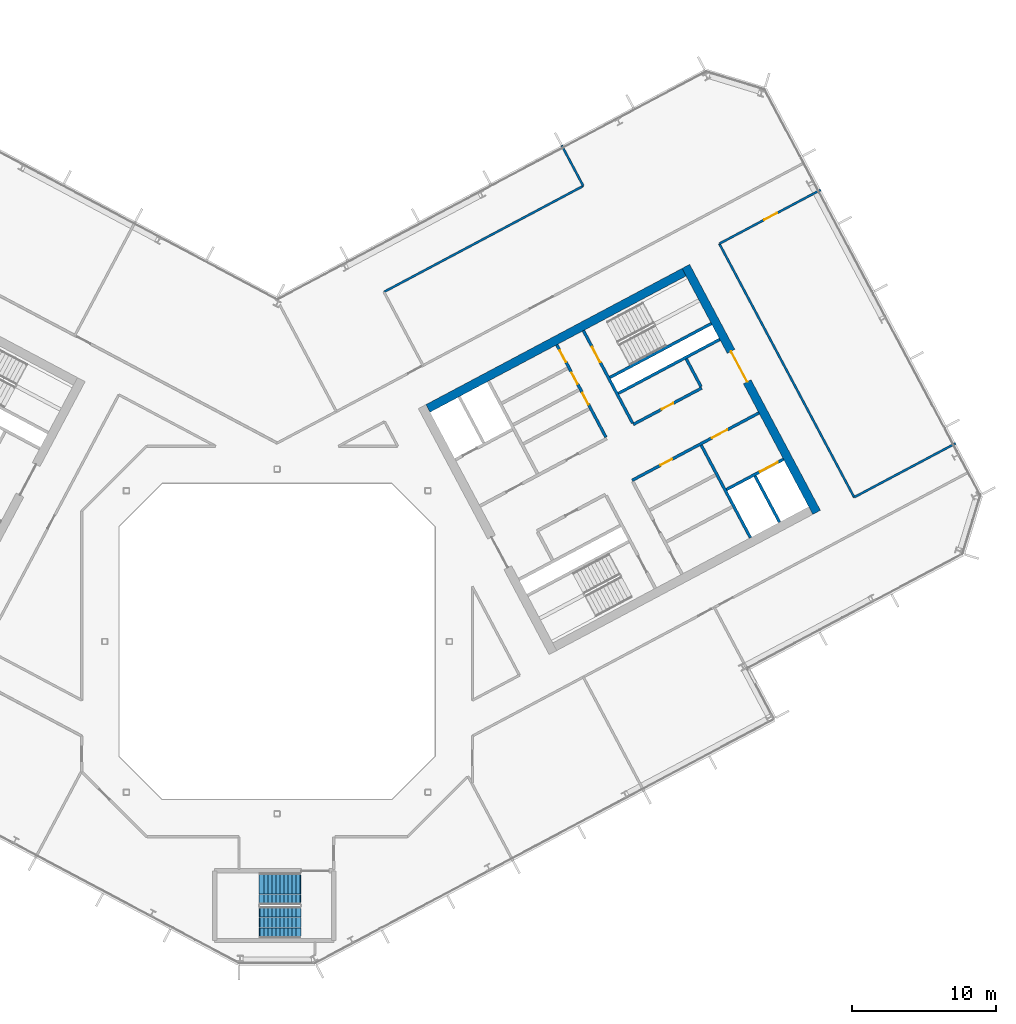
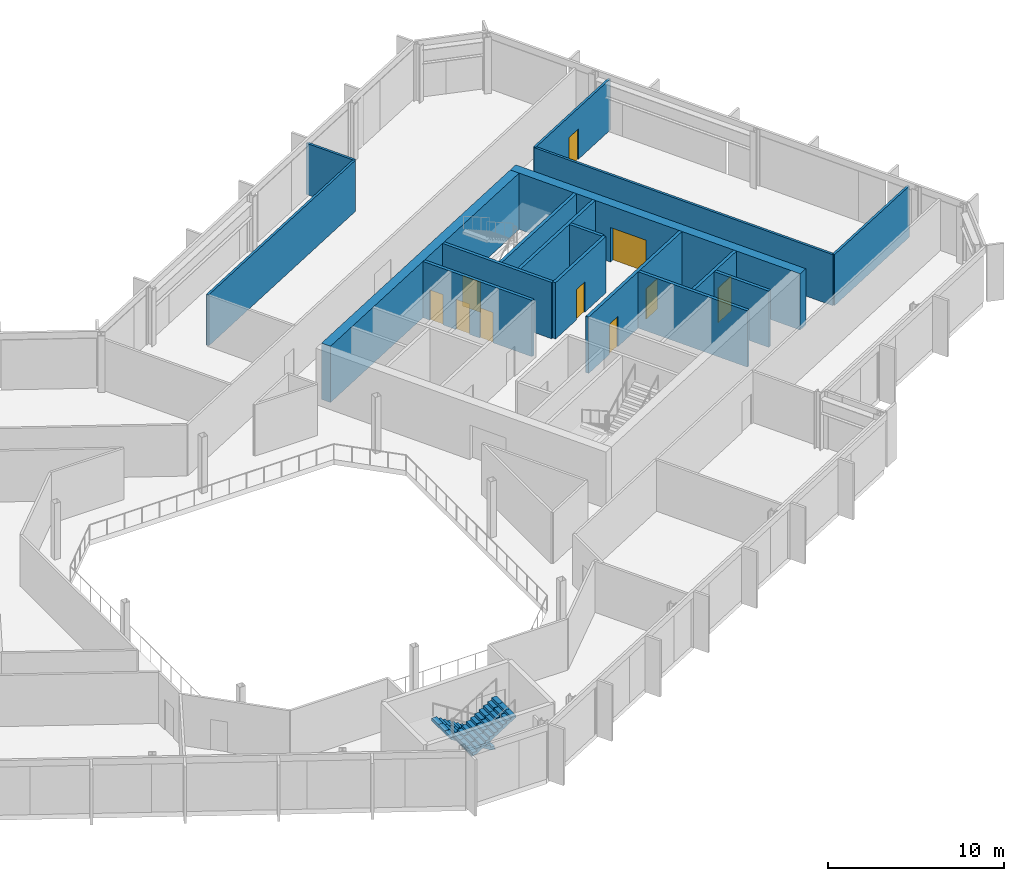
# One storey, part 16 of 26: 17 walls, 10 doors, 2 stair flights, 10 openings, 1 element without a shape of its own.
"""IFC4 building model written with IfcOpenShell, lengths in metres."""

from ifc_helpers import new_model, si_unit, direction, frame, frame_2d, origin, place, context, subcontext, project, spatial, polyline, rectangle, outline, extrude, material, layer, layer_set, type_object, element, fill, aggregate, save


model = new_model("IFC4")

# Units and contexts
model_context = context("Model", 3, precision=1e-05, world=origin(), true_north=direction((0.0, 1.0)))
body_context = subcontext(model_context, "Body", "Model", "MODEL_VIEW")
ifc_project = project(units=[si_unit("LENGTHUNIT", "METRE"), si_unit("AREAUNIT", "SQUARE_METRE"), si_unit("VOLUMEUNIT", "CUBIC_METRE"), si_unit("PLANEANGLEUNIT", "RADIAN"), si_unit("MASSUNIT", "GRAM", prefix="KILO")], contexts=[model_context])

# Site, building, storey
site_placement = place(None, origin())
site = spatial("IfcSite", under=ifc_project, at=site_placement, CompositionType="ELEMENT")
building_placement = place(site_placement, origin())
building = spatial("IfcBuilding", under=site, at=building_placement, Name="Cormorant Relay Tower", CompositionType="ELEMENT")
storey_placement = place(building_placement, frame((0.0, 0.0, 228.60009765625)))
storey = spatial("IfcBuildingStorey", under=building, at=storey_placement, Name="L50", CompositionType="ELEMENT", Elevation=228.60009765625)

# Wall, openings, doors
ifc_material_1 = material(Name="Concrete 50 MPa", Category="concrete")
ifc_layer_1 = layer(ifc_material_1, 0.199951171875)
ifc_layer_set_1 = layer_set([ifc_layer_1], Name="Core shaft wall 200")
wall_type_1 = type_object("IfcWallType", Name="Core shaft wall 200", PredefinedType="SHEAR", material=ifc_layer_set_1)
wall_1_placement = place(storey_placement, frame((22.90625, 14.218017578125, 0.0), z_axis=(0.0, 0.0, 1.0), x_axis=(-0.469480409012, 0.88294288918, 0.0)))
wall_1 = element("IfcWall", 1, at=wall_1_placement, inside=storey, type_object=wall_type_1, Name="L50 core B shaft wall", PredefinedType="SHEAR", context=body_context, shape_type="SweptSolid", body=[
    extrude(rectangle(XDim=7.300048828125, YDim=0.199951171875, at=frame_2d((3.64990234375, 0.0))), origin(), (0.0, 0.0, 1.0), 3.89990234375),
])
opening_1_placement = place(wall_1_placement, frame((2.60009765625, 0.0, 0.0)))
opening_1 = element("IfcOpeningElement", 2, at=opening_1_placement, cuts=wall_1, Name="Opening CDD-283", PredefinedType="OPENING", context=body_context, shape_type="SweptSolid", body=[
    extrude(rectangle(XDim=0.89990234375, YDim=2.10009765625, at=frame_2d((0.449951171875, 1.050048828125))), frame((0.0, 0.10986328125, 0.0), z_axis=(0.0, -1.0, 0.0), x_axis=(1.0, 0.0, 0.0)), (0.0, 0.0, 1.0), 0.219970703125),
])
opening_2_placement = place(wall_1_placement, frame((4.199951171875, 0.0, 0.0)))
opening_2 = element("IfcOpeningElement", 3, at=opening_2_placement, cuts=wall_1, Name="Opening CDD-284", PredefinedType="OPENING", context=body_context, shape_type="SweptSolid", body=[
    extrude(rectangle(XDim=0.89990234375, YDim=2.10009765625, at=frame_2d((0.449951171875, 1.050048828125))), frame((0.0, 0.10986328125, 0.0), z_axis=(0.0, -1.0, 0.0), x_axis=(1.0, 0.0, 0.0)), (0.0, 0.0, 1.0), 0.219970703125),
])
opening_3_placement = place(wall_1_placement, frame((5.949951171875, 0.0, 0.0)))
opening_3 = element("IfcOpeningElement", 4, at=opening_3_placement, cuts=wall_1, Name="Opening CDD-285", PredefinedType="OPENING", context=body_context, shape_type="SweptSolid", body=[
    extrude(rectangle(XDim=0.89990234375, YDim=2.10009765625, at=frame_2d((0.449951171875, 1.050048828125))), frame((0.0, 0.10986328125, 0.0), z_axis=(0.0, -1.0, 0.0), x_axis=(1.0, 0.0, 0.0)), (0.0, 0.0, 1.0), 0.219970703125),
])
ifc_material_2 = material(Name="Steel fire door", Category="steel")
door_type_1 = type_object("IfcDoorType", Name="Core room door 900x2100", OperationType="SINGLE_SWING_LEFT", PredefinedType="DOOR", material=ifc_material_2)
door_1_placement = place(opening_1_placement, origin())
door_1 = element("IfcDoor", 5, at=door_1_placement, inside=storey, type_object=door_type_1, Name="Core room door 900x2100", OperationType="SINGLE_SWING_RIGHT", OverallHeight=2.10009765625, OverallWidth=0.89990234375, PredefinedType="DOOR", context=body_context, shape_type="SweptSolid", body=[
    extrude(rectangle(XDim=0.89990234375, YDim=2.10009765625, at=frame_2d((0.449951171875, 1.050048828125))), frame((0.0, 0.02490234375, 0.0), z_axis=(0.0, -1.0, 0.0), x_axis=(1.0, 0.0, 0.0)), (0.0, 0.0, 1.0), 0.050048828125),
])
fill(opening_1, door_1)
door_2_placement = place(opening_2_placement, origin())
door_2 = element("IfcDoor", 6, at=door_2_placement, inside=storey, type_object=door_type_1, Name="Core room door 900x2100", OperationType="SINGLE_SWING_RIGHT", OverallHeight=2.10009765625, OverallWidth=0.89990234375, PredefinedType="DOOR", context=body_context, shape_type="SweptSolid", body=[
    extrude(rectangle(XDim=0.89990234375, YDim=2.10009765625, at=frame_2d((0.449951171875, 1.050048828125))), frame((0.0, 0.02490234375, 0.0), z_axis=(0.0, -1.0, 0.0), x_axis=(1.0, 0.0, 0.0)), (0.0, 0.0, 1.0), 0.050048828125),
])
fill(opening_2, door_2)
door_3_placement = place(opening_3_placement, origin())
door_3 = element("IfcDoor", 7, at=door_3_placement, inside=storey, type_object=door_type_1, Name="Core room door 900x2100", OperationType="SINGLE_SWING_LEFT", OverallHeight=2.10009765625, OverallWidth=0.89990234375, PredefinedType="DOOR", context=body_context, shape_type="SweptSolid", body=[
    extrude(rectangle(XDim=0.89990234375, YDim=2.10009765625, at=frame_2d((0.449951171875, 1.050048828125))), frame((0.0, 0.02490234375, 0.0), z_axis=(0.0, -1.0, 0.0), x_axis=(1.0, 0.0, 0.0)), (0.0, 0.0, 1.0), 0.050048828125),
])
fill(opening_3, door_3)

# Wall, opening, door
wall_2_placement = place(storey_placement, frame((24.760498046875, 15.2041015625, 0.0), z_axis=(0.0, 0.0, 1.0), x_axis=(-0.469494272526, 0.882935517501, 0.0)))
wall_2 = element("IfcWall", 8, at=wall_2_placement, inside=storey, type_object=wall_type_1, Name="L50 core B shaft wall", PredefinedType="SHEAR", context=body_context, shape_type="SweptSolid", body=[
    extrude(rectangle(XDim=7.2998046875, YDim=0.199951171875, at=frame_2d((3.64990234375, 0.0))), origin(), (0.0, 0.0, 1.0), 3.89990234375),
])
opening_4_placement = place(wall_2_placement, frame((4.800048828125, 0.0, 0.0)))
opening_4 = element("IfcOpeningElement", 9, at=opening_4_placement, cuts=wall_2, Name="Opening CDB-041", PredefinedType="OPENING", context=body_context, shape_type="SweptSolid", body=[
    extrude(rectangle(XDim=1.199951171875, YDim=2.10009765625, at=frame_2d((0.60009765625, 1.050048828125))), frame((0.0, 0.10986328125, 0.0), z_axis=(0.0, -1.0, 0.0), x_axis=(1.0, 0.0, 0.0)), (0.0, 0.0, 1.0), 0.219970703125),
])
ifc_material_3 = material(Name="Steel fire door", Category="steel")
door_type_2 = type_object("IfcDoorType", Name="Core stair door 1200x2100", OperationType="SINGLE_SWING_LEFT", PredefinedType="DOOR", material=ifc_material_3)
door_4_placement = place(opening_4_placement, frame((1.199951171875, 0.0, 0.0), z_axis=(0.0, 0.0, 1.0), x_axis=(-1.0, 0.0, 0.0)))
door_4 = element("IfcDoor", 10, at=door_4_placement, inside=storey, type_object=door_type_2, Name="Core stair door 1200x2100", OperationType="SINGLE_SWING_RIGHT", OverallHeight=2.10009765625, OverallWidth=1.199951171875, PredefinedType="DOOR", context=body_context, shape_type="SweptSolid", body=[
    extrude(rectangle(XDim=1.199951171875, YDim=2.10009765625, at=frame_2d((0.60009765625, 1.050048828125))), frame((0.0, 0.02490234375, 0.0), z_axis=(0.0, -1.0, 0.0), x_axis=(1.0, 0.0, 0.0)), (0.0, 0.0, 1.0), 0.050048828125),
])
fill(opening_4, door_4)

# Walls
wall_3_placement = place(storey_placement, frame((32.968017578125, 7.222900390625, 0.0), z_axis=(0.0, 0.0, 1.0), x_axis=(-0.469480409012, 0.88294288918, 0.0)))
element("IfcWall", 11, at=wall_3_placement, inside=storey, type_object=wall_type_1, Name="L50 core B shaft wall", PredefinedType="SHEAR", context=body_context, shape_type="SweptSolid", body=[
    extrude(rectangle(XDim=7.300048828125, YDim=0.199951171875, at=frame_2d((3.64990234375, 0.0))), origin(), (0.0, 0.0, 1.0), 3.89990234375),
])
wall_4_placement = place(storey_placement, frame((29.5283203125, 17.739013671875, 0.0), z_axis=(0.0, 0.0, 1.0), x_axis=(-0.469401318492, 0.882984938828, 0.0)))
element("IfcWall", 12, at=wall_4_placement, inside=storey, type_object=wall_type_1, Name="L50 core B shaft wall", PredefinedType="SHEAR", context=body_context, shape_type="SweptSolid", body=[
    extrude(rectangle(XDim=2.199951171875, YDim=0.199951171875, at=frame_2d((1.10009765625, 0.0))), origin(), (0.0, 0.0, 1.0), 3.89990234375),
])
wall_5_placement = place(storey_placement, frame((34.998779296875, 8.302734375, 0.0), z_axis=(0.0, 0.0, 1.0), x_axis=(-0.4694665462, 0.882950260207, 0.0)))
element("IfcWall", 13, at=wall_5_placement, inside=storey, type_object=wall_type_1, Name="L50 core B shaft wall", PredefinedType="SHEAR", context=body_context, shape_type="SweptSolid", body=[
    extrude(rectangle(XDim=3.650146484375, YDim=0.199951171875, at=frame_2d((1.8251953125, 0.0))), origin(), (0.0, 0.0, 1.0), 3.89990234375),
])

# Wall, opening, door
wall_6_placement = place(storey_placement, frame((31.295654296875, 10.5810546875, 0.0), z_axis=(0.0, 0.0, 1.0), x_axis=(0.882960433586, 0.469447412093, 0.0)))
wall_6 = element("IfcWall", 14, at=wall_6_placement, inside=storey, type_object=wall_type_1, Name="L50 core B shaft wall", PredefinedType="SHEAR", context=body_context, shape_type="SweptSolid", body=[
    extrude(rectangle(XDim=4.5, YDim=0.199951171875, at=frame_2d((2.25, 0.0))), origin(), (0.0, 0.0, 1.0), 3.89990234375),
])
opening_5_placement = place(wall_6_placement, frame((2.64990234375, 0.0, 0.0)))
opening_5 = element("IfcOpeningElement", 15, at=opening_5_placement, cuts=wall_6, Name="Opening LD3-016", PredefinedType="OPENING", context=body_context, shape_type="SweptSolid", body=[
    extrude(rectangle(XDim=1.39990234375, YDim=2.39990234375, at=frame_2d((0.699951171875, 1.199951171875))), frame((0.0, 0.10986328125, 0.0), z_axis=(0.0, -1.0, 0.0), x_axis=(1.0, 0.0, 0.0)), (0.0, 0.0, 1.0), 0.219970703125),
])
ifc_material_4 = material(Name="Stainless steel 316", Category="steel")
door_type_3 = type_object("IfcDoorType", Name="Lift landing door 1400x2400", OperationType="DOUBLE_DOOR_SLIDING", PredefinedType="DOOR", material=ifc_material_4)
door_5_placement = place(opening_5_placement, origin())
door_5 = element("IfcDoor", 16, at=door_5_placement, inside=storey, type_object=door_type_3, Name="SV2 landing door", OperationType="DOUBLE_DOOR_SLIDING", OverallHeight=2.39990234375, OverallWidth=1.39990234375, PredefinedType="DOOR", context=body_context, shape_type="SweptSolid", body=[
    extrude(rectangle(XDim=1.39990234375, YDim=2.39990234375, at=frame_2d((0.699951171875, 1.199951171875))), frame((0.0, 0.02490234375, 0.0), z_axis=(0.0, -1.0, 0.0), x_axis=(1.0, 0.0, 0.0)), (0.0, 0.0, 1.0), 0.050048828125),
])
fill(opening_5, door_5)

# Wall, openings, doors
wall_7_placement = place(storey_placement, frame((24.72607421875, 11.2216796875, 0.0), z_axis=(0.0, 0.0, 1.0), x_axis=(0.882940221191, 0.469485426614, 0.0)))
wall_7 = element("IfcWall", 17, at=wall_7_placement, inside=storey, type_object=wall_type_1, Name="L50 core B shaft wall", PredefinedType="SHEAR", context=body_context, shape_type="SweptSolid", body=[
    extrude(rectangle(XDim=10.0, YDim=0.199951171875, at=frame_2d((5.0, 0.0))), origin(), (0.0, 0.0, 1.0), 3.89990234375),
])
opening_6_placement = place(wall_7_placement, frame((6.300048828125, 0.0, 0.0)))
opening_6 = element("IfcOpeningElement", 18, at=opening_6_placement, cuts=wall_7, Name="Opening CDC-038", PredefinedType="OPENING", context=body_context, shape_type="SweptSolid", body=[
    extrude(rectangle(XDim=1.199951171875, YDim=2.10009765625, at=frame_2d((0.60009765625, 1.050048828125))), frame((0.0, 0.10986328125, 0.0), z_axis=(0.0, -1.0, 0.0), x_axis=(1.0, 0.0, 0.0)), (0.0, 0.0, 1.0), 0.219970703125),
])
opening_7_placement = place(wall_7_placement, frame((2.25, 0.0, 0.0)))
opening_7 = element("IfcOpeningElement", 19, at=opening_7_placement, cuts=wall_7, Name="Opening CDD-263", PredefinedType="OPENING", context=body_context, shape_type="SweptSolid", body=[
    extrude(rectangle(XDim=0.89990234375, YDim=2.10009765625, at=frame_2d((0.449951171875, 1.050048828125))), frame((0.0, 0.10986328125, 0.0), z_axis=(0.0, -1.0, 0.0), x_axis=(1.0, 0.0, 0.0)), (0.0, 0.0, 1.0), 0.219970703125),
])
ifc_material_5 = material(Name="Steel fire door", Category="steel")
door_type_4 = type_object("IfcDoorType", Name="Core lobby door 1200x2100", OperationType="SINGLE_SWING_LEFT", PredefinedType="DOOR", material=ifc_material_5)
door_6_placement = place(opening_6_placement, origin())
door_6 = element("IfcDoor", 20, at=door_6_placement, inside=storey, type_object=door_type_4, Name="Core lobby door 1200x2100", OperationType="SINGLE_SWING_LEFT", OverallHeight=2.10009765625, OverallWidth=1.199951171875, PredefinedType="DOOR", context=body_context, shape_type="SweptSolid", body=[
    extrude(rectangle(XDim=1.199951171875, YDim=2.10009765625, at=frame_2d((0.60009765625, 1.050048828125))), frame((0.0, 0.02490234375, 0.0), z_axis=(0.0, -1.0, 0.0), x_axis=(1.0, 0.0, 0.0)), (0.0, 0.0, 1.0), 0.050048828125),
])
fill(opening_6, door_6)
door_7_placement = place(opening_7_placement, frame((0.89990234375, 0.0, 0.0), z_axis=(0.0, 0.0, 1.0), x_axis=(-1.0, 0.0, 0.0)))
door_7 = element("IfcDoor", 21, at=door_7_placement, inside=storey, type_object=door_type_1, Name="Core room door 900x2100", OperationType="SINGLE_SWING_RIGHT", OverallHeight=2.10009765625, OverallWidth=0.89990234375, PredefinedType="DOOR", context=body_context, shape_type="SweptSolid", body=[
    extrude(rectangle(XDim=0.89990234375, YDim=2.10009765625, at=frame_2d((0.449951171875, 1.050048828125))), frame((0.0, 0.02490234375, 0.0), z_axis=(0.0, -1.0, 0.0), x_axis=(1.0, 0.0, 0.0)), (0.0, 0.0, 1.0), 0.050048828125),
])
fill(opening_7, door_7)

# Wall, opening, door
wall_8_placement = place(storey_placement, frame((24.807373046875, 15.11572265625, 0.0), z_axis=(0.0, 0.0, 1.0), x_axis=(0.882942972946, 0.469480251476, 0.0)))
wall_8 = element("IfcWall", 22, at=wall_8_placement, inside=storey, type_object=wall_type_1, Name="L50 core B shaft wall", PredefinedType="SHEAR", context=body_context, shape_type="SweptSolid", body=[
    extrude(rectangle(XDim=5.39990234375, YDim=0.199951171875, at=frame_2d((2.699951171875, 0.0))), origin(), (0.0, 0.0, 1.0), 3.89990234375),
])
opening_8_placement = place(wall_8_placement, frame((2.25, 0.0, 0.0)))
opening_8 = element("IfcOpeningElement", 23, at=opening_8_placement, cuts=wall_8, Name="Opening CDD-261", PredefinedType="OPENING", context=body_context, shape_type="SweptSolid", body=[
    extrude(rectangle(XDim=0.89990234375, YDim=2.10009765625, at=frame_2d((0.449951171875, 1.050048828125))), frame((0.0, 0.10986328125, 0.0), z_axis=(0.0, -1.0, 0.0), x_axis=(1.0, 0.0, 0.0)), (0.0, 0.0, 1.0), 0.219970703125),
])
door_8_placement = place(opening_8_placement, origin())
door_8 = element("IfcDoor", 24, at=door_8_placement, inside=storey, type_object=door_type_1, Name="Core room door 900x2100", OperationType="SINGLE_SWING_LEFT", OverallHeight=2.10009765625, OverallWidth=0.89990234375, PredefinedType="DOOR", context=body_context, shape_type="SweptSolid", body=[
    extrude(rectangle(XDim=0.89990234375, YDim=2.10009765625, at=frame_2d((0.449951171875, 1.050048828125))), frame((0.0, 0.02490234375, 0.0), z_axis=(0.0, -1.0, 0.0), x_axis=(1.0, 0.0, 0.0)), (0.0, 0.0, 1.0), 0.050048828125),
])
fill(opening_8, door_8)

# Walls
wall_9_placement = place(storey_placement, frame((23.76904296875, 17.28173828125, 0.0), z_axis=(0.0, 0.0, 1.0), x_axis=(0.882940221191, 0.469485426614, 0.0)))
element("IfcWall", 25, at=wall_9_placement, inside=storey, type_object=wall_type_1, Name="L50 core B shaft wall", PredefinedType="SHEAR", context=body_context, shape_type="SweptSolid", body=[
    extrude(rectangle(XDim=8.0, YDim=0.199951171875, at=frame_2d((4.0, 0.0))), origin(), (0.0, 0.0, 1.0), 3.89990234375),
])
wall_10_placement = place(storey_placement, frame((23.18212890625, 18.385498046875, 0.0), z_axis=(0.0, 0.0, 1.0), x_axis=(0.88295287151, 0.469461634952, 0.0)))
element("IfcWall", 26, at=wall_10_placement, inside=storey, type_object=wall_type_1, Name="L50 core B shaft wall", PredefinedType="SHEAR", context=body_context, shape_type="SweptSolid", body=[
    extrude(rectangle(XDim=7.999755859375, YDim=0.199951171875, at=frame_2d((4.0, 0.0))), origin(), (0.0, 0.0, 1.0), 3.89990234375),
])

# Wall, opening, door
ifc_material_6 = material(Name="Concrete 50 MPa", Category="concrete")
ifc_layer_2 = layer(ifc_material_6, 0.60009765625)
ifc_layer_set_2 = layer_set([ifc_layer_2], Name="Core wall 600")
wall_type_2 = type_object("IfcWallType", Name="Core wall 600", PredefinedType="SHEAR", material=ifc_layer_set_2)
wall_11_placement = place(storey_placement, frame((37.576171875, 8.99365234375, 0.0), z_axis=(0.0, 0.0, 1.0), x_axis=(-0.469478769487, 0.88294376095, 0.0)))
wall_11 = element("IfcWall", 27, at=wall_11_placement, inside=storey, type_object=wall_type_2, Name="L50 core B wall", PredefinedType="SHEAR", context=body_context, shape_type="SweptSolid", body=[
    extrude(rectangle(XDim=19.400146484375, YDim=0.60009765625, at=frame_2d((9.7001953125, 0.0))), origin(), (0.0, 0.0, 1.0), 3.89990234375),
])
opening_9_placement = place(wall_11_placement, frame((10.300048828125, 0.0, 0.0)))
opening_9 = element("IfcOpeningElement", 28, at=opening_9_placement, cuts=wall_11, Name="Opening CDA-043", PredefinedType="OPENING", context=body_context, shape_type="SweptSolid", body=[
    extrude(rectangle(XDim=2.39990234375, YDim=2.39990234375, at=frame_2d((1.199951171875, 1.199951171875))), frame((0.0, 0.31005859375, 0.0), z_axis=(0.0, -1.0, 0.0), x_axis=(1.0, 0.0, 0.0)), (0.0, 0.0, 1.0), 0.6201171875),
])
ifc_material_7 = material(Name="Steel fire door", Category="steel")
door_type_5 = type_object("IfcDoorType", Name="Core lobby door 2400x2400", OperationType="DOUBLE_DOOR_SINGLE_SWING", PredefinedType="DOOR", material=ifc_material_7)
door_9_placement = place(opening_9_placement, origin())
door_9 = element("IfcDoor", 29, at=door_9_placement, inside=storey, type_object=door_type_5, Name="Core lobby door 2400x2400", OperationType="DOUBLE_DOOR_SINGLE_SWING", OverallHeight=2.39990234375, OverallWidth=2.39990234375, PredefinedType="DOOR", context=body_context, shape_type="SweptSolid", body=[
    extrude(rectangle(XDim=2.39990234375, YDim=2.39990234375, at=frame_2d((1.199951171875, 1.199951171875))), frame((0.0, 0.02490234375, 0.0), z_axis=(0.0, -1.0, 0.0), x_axis=(1.0, 0.0, 0.0)), (0.0, 0.0, 1.0), 0.050048828125),
])
fill(opening_9, door_9)

# Wall
wall_12_placement = place(storey_placement, frame((10.5087890625, 16.23388671875, 0.0), z_axis=(0.0, 0.0, 1.0), x_axis=(0.88295010195, 0.469466843842, 0.0)))
element("IfcWall", 30, at=wall_12_placement, inside=storey, type_object=wall_type_2, Name="L50 core B wall", PredefinedType="SHEAR", context=body_context, shape_type="SweptSolid", body=[
    extrude(rectangle(XDim=20.199951171875, YDim=0.60009765625, at=frame_2d((10.10009765625, 0.0))), origin(), (0.0, 0.0, 1.0), 3.89990234375),
])

# Wall, opening, door
ifc_material_8 = material(Name="Gypsum board fire partition")
ifc_layer_3 = layer(ifc_material_8, 0.14990234375)
ifc_layer_set_3 = layer_set([ifc_layer_3], Name="Corridor partition 150 EI 60")
wall_type_3 = type_object("IfcWallType", Name="Corridor partition 150 EI 60", PredefinedType="PARTITIONING", material=ifc_layer_set_3)
wall_13_placement = place(storey_placement, frame((37.863037109375, 31.4580078125, 0.0), z_axis=(0.0, 0.0, 1.0), x_axis=(-0.882914115089, -0.469534519898, 0.0)))
wall_13 = element("IfcWall", 31, at=wall_13_placement, inside=storey, type_object=wall_type_3, Name="wall/L50/part/039", PredefinedType="PARTITIONING", context=body_context, shape_type="SweptSolid", body=[
    extrude(rectangle(XDim=7.99951171875, YDim=0.14990234375, at=frame_2d((3.999755859375, 0.0))), origin(), (0.0, 0.0, 1.0), 3.539794921875),
])
opening_10_placement = place(wall_13_placement, frame((3.450927734375, 0.0, 0.0)))
opening_10 = element("IfcOpeningElement", 32, at=opening_10_placement, cuts=wall_13, Name="Opening DS-137", PredefinedType="OPENING", context=body_context, shape_type="SweptSolid", body=[
    extrude(rectangle(XDim=1.0, YDim=2.10009765625, at=frame_2d((0.5, 1.050048828125))), frame((0.0, 0.0849609375, 0.0), z_axis=(0.0, -1.0, 0.0), x_axis=(1.0, 0.0, 0.0)), (0.0, 0.0, 1.0), 0.169921875),
])
ifc_material_9 = material(Name="Timber door leaf", Category="wood")
door_type_6 = type_object("IfcDoorType", Name="Suite door 1000x2100", OperationType="SINGLE_SWING_LEFT", PredefinedType="DOOR", material=ifc_material_9)
door_10_placement = place(opening_10_placement, origin())
door_10 = element("IfcDoor", 33, at=door_10_placement, inside=storey, type_object=door_type_6, Name="door/L50/019", OperationType="SINGLE_SWING_RIGHT", OverallHeight=2.10009765625, OverallWidth=1.0, PredefinedType="DOOR", context=body_context, shape_type="SweptSolid", body=[
    extrude(rectangle(XDim=1.0, YDim=2.10009765625, at=frame_2d((0.5, 1.050048828125))), frame((0.0, 0.02490234375, 0.0), z_axis=(0.0, -1.0, 0.0), x_axis=(1.0, 0.0, 0.0)), (0.0, 0.0, 1.0), 0.050048828125),
])
fill(opening_10, door_10)

# Walls
wall_14_placement = place(storey_placement, frame((30.800048828125, 27.701904296875, 0.0), z_axis=(0.0, 0.0, 1.0), x_axis=(0.469451816494, -0.882958091865, 0.0)))
element("IfcWall", 34, at=wall_14_placement, inside=storey, type_object=wall_type_3, Name="wall/L50/part/040", PredefinedType="PARTITIONING", context=body_context, shape_type="SweptSolid", body=[
    extrude(rectangle(XDim=19.999755859375, YDim=0.14990234375, at=frame_2d((10.0, 0.0))), origin(), (0.0, 0.0, 1.0), 3.539794921875),
])
wall_15_placement = place(storey_placement, frame((40.18896484375, 10.04296875, 0.0), z_axis=(0.0, 0.0, 1.0), x_axis=(0.882991619958, 0.469388750487, 0.0)))
element("IfcWall", 35, at=wall_15_placement, inside=storey, type_object=wall_type_3, Name="wall/L50/part/041", PredefinedType="PARTITIONING", context=body_context, shape_type="SweptSolid", body=[
    extrude(rectangle(XDim=8.0, YDim=0.14990234375, at=frame_2d((4.0, 0.0))), origin(), (0.0, 0.0, 1.0), 3.539794921875),
])
ifc_material_10 = material(Name="Gypsum board partition")
ifc_layer_4 = layer(ifc_material_10, 0.14990234375)
ifc_layer_set_4 = layer_set([ifc_layer_4], Name="Tenant partition 150")
wall_type_4 = type_object("IfcWallType", Name="Tenant partition 150", PredefinedType="PARTITIONING", material=ifc_layer_set_4)
wall_16_placement = place(storey_placement, frame((19.822021484375, 34.550048828125, 0.0), z_axis=(0.0, 0.0, 1.0), x_axis=(0.469320691295, -0.883027796121, 0.0)))
element("IfcWall", 36, at=wall_16_placement, inside=storey, type_object=wall_type_4, Name="wall/L50/part/031", PredefinedType="PARTITIONING", context=body_context, shape_type="SweptSolid", body=[
    extrude(rectangle(XDim=3.2001953125, YDim=0.14990234375, at=frame_2d((1.60009765625, 0.0))), origin(), (0.0, 0.0, 1.0), 3.539794921875),
])
wall_17_placement = place(storey_placement, frame((7.443115234375, 24.343017578125, 0.0), z_axis=(0.0, 0.0, 1.0), x_axis=(0.882933890587, 0.469497332104, 0.0)))
element("IfcWall", 37, at=wall_17_placement, inside=storey, type_object=wall_type_4, Name="wall/L50/part/033", PredefinedType="PARTITIONING", context=body_context, shape_type="SweptSolid", body=[
    extrude(rectangle(XDim=15.72119140625, YDim=0.14990234375, at=frame_2d((7.860595703125, 0.0))), origin(), (0.0, 0.0, 1.0), 3.539794921875),
])

# Stair, stair flights
ifc_material_11 = material(Name="Concrete 40 MPa", Category="concrete")
stair_type = type_object("IfcStairType", Name="Remote exit stair 2200", PredefinedType="HALF_TURN_STAIR", material=ifc_material_11)
stair_placement = place(storey_placement, origin())
stair = element("IfcStair", 38, at=stair_placement, inside=storey, type_object=stair_type, Name="L50 Stair", PredefinedType="HALF_TURN_STAIR")
ifc_material_12 = material(Name="Concrete 40 MPa", Category="concrete")
stair_flight_type = type_object("IfcStairFlightType", Name="Remote exit stair flight 2200", PredefinedType="STRAIGHT", material=ifc_material_12)
stair_flight_1_placement = place(storey_placement, frame((1.60009765625, -17.22509765625, 0.0), z_axis=(0.0, 0.0, 1.0), x_axis=(-1.0, 0.0, 0.0)))
stair_flight_1 = element("IfcStairFlight", 39, at=stair_flight_1_placement, type_object=stair_flight_type, Name="RK1 flight 1", NumberOfRisers=11, NumberOfTreads=10, PredefinedType="STRAIGHT", RiserHeight=0.177272727, TreadLength=0.28, context=body_context, shape_type="SweptSolid", body=[
    extrude(outline(polyline([(-0.050048828125, -0.080078125), (-0.050048828125, 0.0), (0.0, 0.0), (0.0, 0.17724609375), (0.280029296875, 0.17724609375), (0.280029296875, 0.3544921875), (0.56005859375, 0.3544921875), (0.56005859375, 0.53173828125), (0.840087890625, 0.53173828125), (0.840087890625, 0.708984375), (1.1201171875, 0.708984375), (1.1201171875, 0.886474609375), (1.39990234375, 0.886474609375), (1.39990234375, 1.063720703125), (1.679931640625, 1.063720703125), (1.679931640625, 1.240966796875), (1.9599609375, 1.240966796875), (1.9599609375, 1.418212890625), (2.239990234375, 1.418212890625), (2.239990234375, 1.595458984375), (2.52001953125, 1.595458984375), (2.52001953125, 1.772705078125), (2.800048828125, 1.772705078125), (2.85009765625, 1.772705078125), (2.85009765625, 1.59521484375), (2.800048828125, 1.59521484375), (0.2802734375, 0.0), (-0.050048828125, -0.080078125)])), frame((0.0, 1.10009765625, 0.0), z_axis=(0.0, -1.0, 0.0), x_axis=(1.0, 0.0, 0.0)), (0.0, 0.0, 1.0), 0.719970703125),
    extrude(outline(polyline([(-0.050048828125, -0.080078125), (-0.050048828125, 0.0), (0.0, 0.0), (0.0, 0.17724609375), (0.280029296875, 0.17724609375), (0.280029296875, 0.3544921875), (0.56005859375, 0.3544921875), (0.56005859375, 0.53173828125), (0.840087890625, 0.53173828125), (0.840087890625, 0.708984375), (1.1201171875, 0.708984375), (1.1201171875, 0.886474609375), (1.39990234375, 0.886474609375), (1.39990234375, 1.063720703125), (1.679931640625, 1.063720703125), (1.679931640625, 1.240966796875), (1.9599609375, 1.240966796875), (1.9599609375, 1.418212890625), (2.239990234375, 1.418212890625), (2.239990234375, 1.595458984375), (2.52001953125, 1.595458984375), (2.52001953125, 1.772705078125), (2.800048828125, 1.772705078125), (2.85009765625, 1.772705078125), (2.85009765625, 1.59521484375), (2.800048828125, 1.59521484375), (0.2802734375, 0.0), (-0.050048828125, -0.080078125)])), frame((0.0, 0.360107421875, 0.0), z_axis=(0.0, -1.0, 0.0), x_axis=(1.0, 0.0, 0.0)), (0.0, 0.0, 1.0), 0.719970703125),
    extrude(outline(polyline([(-0.050048828125, -0.080078125), (-0.050048828125, 0.0), (0.0, 0.0), (0.0, 0.17724609375), (0.280029296875, 0.17724609375), (0.280029296875, 0.3544921875), (0.56005859375, 0.3544921875), (0.56005859375, 0.53173828125), (0.840087890625, 0.53173828125), (0.840087890625, 0.708984375), (1.1201171875, 0.708984375), (1.1201171875, 0.886474609375), (1.39990234375, 0.886474609375), (1.39990234375, 1.063720703125), (1.679931640625, 1.063720703125), (1.679931640625, 1.240966796875), (1.9599609375, 1.240966796875), (1.9599609375, 1.418212890625), (2.239990234375, 1.418212890625), (2.239990234375, 1.595458984375), (2.52001953125, 1.595458984375), (2.52001953125, 1.772705078125), (2.800048828125, 1.772705078125), (2.85009765625, 1.772705078125), (2.85009765625, 1.59521484375), (2.800048828125, 1.59521484375), (0.2802734375, 0.0), (-0.050048828125, -0.080078125)])), frame((0.0, -0.3798828125, 0.0), z_axis=(0.0, -1.0, 0.0), x_axis=(1.0, 0.0, 0.0)), (0.0, 0.0, 1.0), 0.719970703125),
])
stair_flight_2_placement = place(storey_placement, frame((-1.199951171875, -19.574951171875, 1.949951171875), z_axis=(0.0, 0.0, 1.0), x_axis=(1.0, 0.0, 0.0)))
stair_flight_2 = element("IfcStairFlight", 40, at=stair_flight_2_placement, type_object=stair_flight_type, Name="RK1 flight 2", NumberOfRisers=11, NumberOfTreads=10, PredefinedType="STRAIGHT", RiserHeight=0.177272727, TreadLength=0.28, context=body_context, shape_type="SweptSolid", body=[
    extrude(outline(polyline([(-0.050048828125, -0.080078125), (-0.050048828125, 0.0), (0.0, 0.0), (0.0, 0.17724609375), (0.280029296875, 0.17724609375), (0.280029296875, 0.3544921875), (0.56005859375, 0.3544921875), (0.56005859375, 0.53173828125), (0.840087890625, 0.53173828125), (0.840087890625, 0.708984375), (1.1201171875, 0.708984375), (1.1201171875, 0.886474609375), (1.39990234375, 0.886474609375), (1.39990234375, 1.063720703125), (1.679931640625, 1.063720703125), (1.679931640625, 1.240966796875), (1.9599609375, 1.240966796875), (1.9599609375, 1.418212890625), (2.239990234375, 1.418212890625), (2.239990234375, 1.595458984375), (2.52001953125, 1.595458984375), (2.52001953125, 1.772705078125), (2.800048828125, 1.772705078125), (2.85009765625, 1.772705078125), (2.85009765625, 1.59521484375), (2.800048828125, 1.59521484375), (0.2802734375, 0.0), (-0.050048828125, -0.080078125)])), frame((0.0, 1.10009765625, 0.0), z_axis=(0.0, -1.0, 0.0), x_axis=(1.0, 0.0, 0.0)), (0.0, 0.0, 1.0), 0.719970703125),
    extrude(outline(polyline([(-0.050048828125, -0.080078125), (-0.050048828125, 0.0), (0.0, 0.0), (0.0, 0.17724609375), (0.280029296875, 0.17724609375), (0.280029296875, 0.3544921875), (0.56005859375, 0.3544921875), (0.56005859375, 0.53173828125), (0.840087890625, 0.53173828125), (0.840087890625, 0.708984375), (1.1201171875, 0.708984375), (1.1201171875, 0.886474609375), (1.39990234375, 0.886474609375), (1.39990234375, 1.063720703125), (1.679931640625, 1.063720703125), (1.679931640625, 1.240966796875), (1.9599609375, 1.240966796875), (1.9599609375, 1.418212890625), (2.239990234375, 1.418212890625), (2.239990234375, 1.595458984375), (2.52001953125, 1.595458984375), (2.52001953125, 1.772705078125), (2.800048828125, 1.772705078125), (2.85009765625, 1.772705078125), (2.85009765625, 1.59521484375), (2.800048828125, 1.59521484375), (0.2802734375, 0.0), (-0.050048828125, -0.080078125)])), frame((0.0, 0.360107421875, 0.0), z_axis=(0.0, -1.0, 0.0), x_axis=(1.0, 0.0, 0.0)), (0.0, 0.0, 1.0), 0.719970703125),
    extrude(outline(polyline([(-0.050048828125, -0.080078125), (-0.050048828125, 0.0), (0.0, 0.0), (0.0, 0.17724609375), (0.280029296875, 0.17724609375), (0.280029296875, 0.3544921875), (0.56005859375, 0.3544921875), (0.56005859375, 0.53173828125), (0.840087890625, 0.53173828125), (0.840087890625, 0.708984375), (1.1201171875, 0.708984375), (1.1201171875, 0.886474609375), (1.39990234375, 0.886474609375), (1.39990234375, 1.063720703125), (1.679931640625, 1.063720703125), (1.679931640625, 1.240966796875), (1.9599609375, 1.240966796875), (1.9599609375, 1.418212890625), (2.239990234375, 1.418212890625), (2.239990234375, 1.595458984375), (2.52001953125, 1.595458984375), (2.52001953125, 1.772705078125), (2.800048828125, 1.772705078125), (2.85009765625, 1.772705078125), (2.85009765625, 1.59521484375), (2.800048828125, 1.59521484375), (0.2802734375, 0.0), (-0.050048828125, -0.080078125)])), frame((0.0, -0.3798828125, 0.0), z_axis=(0.0, -1.0, 0.0), x_axis=(1.0, 0.0, 0.0)), (0.0, 0.0, 1.0), 0.719970703125),
])
aggregate(stair, [stair_flight_1, stair_flight_2])

save(model, "model.ifc")
